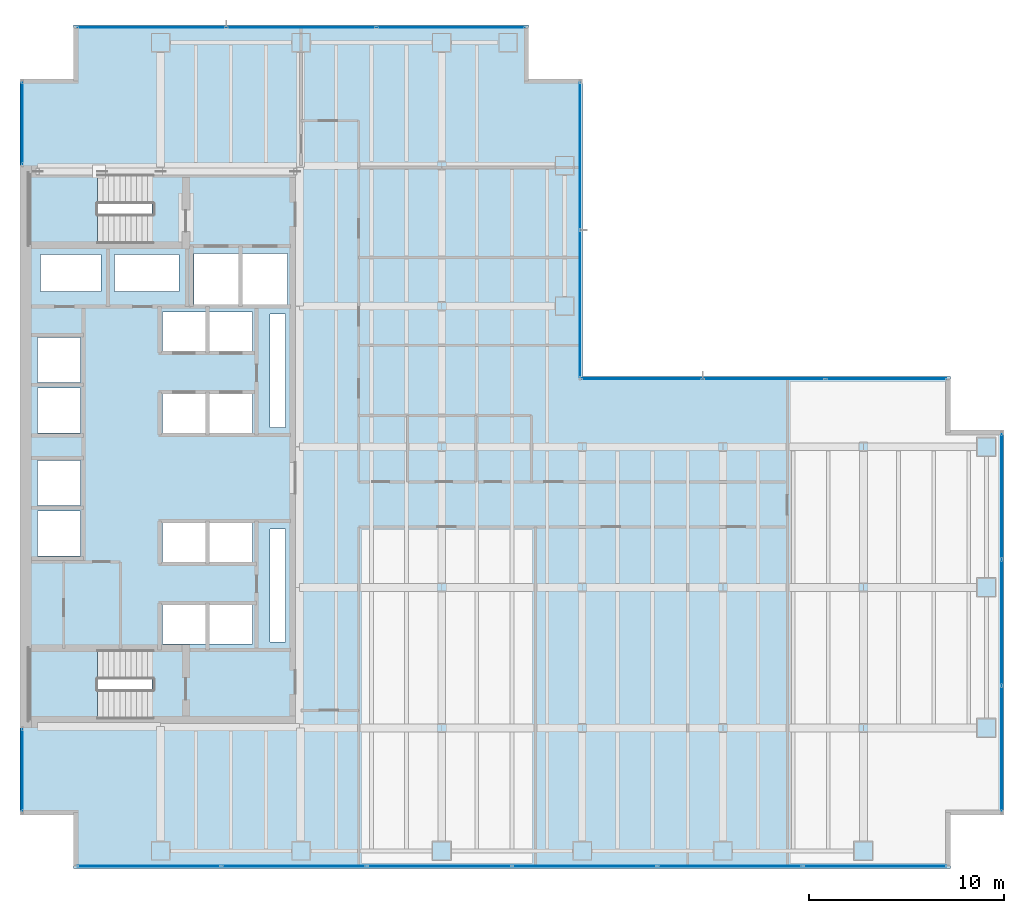
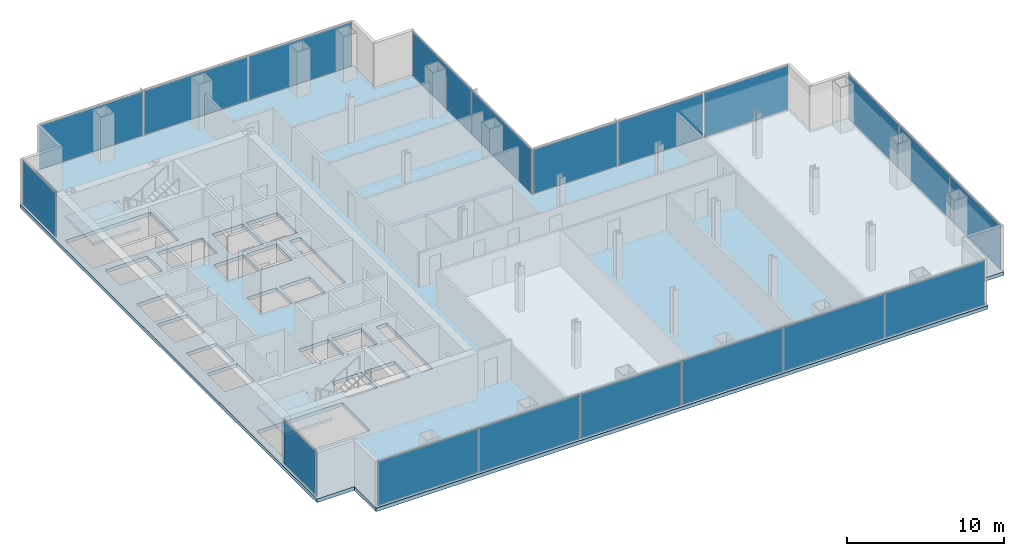
# One storey, part 19 of 24: 19 plates, 3 slabs, 20 openings, 9 elements without a shape of their own.
"""IFC4 building model written with IfcOpenShell, lengths in metres."""

from ifc_helpers import new_model, si_unit, direction, frame, origin, origin_2d, place, context, subcontext, project, spatial, polyline, rectangle, outline, extrude, material, layer, layer_set, type_object, element, aggregate, save


model = new_model("IFC4")

# Units and contexts
model_context = context("Model", 3, precision=1e-05, world=origin(), true_north=direction((0.0, 1.0)))
body_context = subcontext(model_context, "Body", "Model", "MODEL_VIEW")
ifc_project = project(units=[si_unit("LENGTHUNIT", "METRE"), si_unit("AREAUNIT", "SQUARE_METRE"), si_unit("VOLUMEUNIT", "CUBIC_METRE"), si_unit("PLANEANGLEUNIT", "RADIAN"), si_unit("MASSUNIT", "GRAM", prefix="KILO")], contexts=[model_context])

# Site, building, storey
site_placement = place(None, origin())
site = spatial("IfcSite", under=ifc_project, at=site_placement, CompositionType="ELEMENT")
building_placement = place(site_placement, origin())
building = spatial("IfcBuilding", under=site, at=building_placement, Name="Cobrela Telecom Tower", CompositionType="ELEMENT")
storey_placement = place(building_placement, frame((0.0, 0.0, 69.64990234375)))
storey = spatial("IfcBuildingStorey", under=building, at=storey_placement, Name="L17", CompositionType="ELEMENT", Elevation=69.64990234375)

# Curtain wall, plate
ifc_material_1 = material(Name="Anodized Bronze Aluminium 6063-T6", Category="aluminium")
curtain_wall_type = type_object("IfcCurtainWallType", Name="CW-SYS-DATA", PredefinedType="USERDEFINED", material=ifc_material_1)
curtain_wall_1_placement = place(storey_placement, origin())
curtain_wall_1 = element("IfcCurtainWall", 1, at=curtain_wall_1_placement, inside=storey, type_object=curtain_wall_type, Name="L17 Unitised Bronze Curtain Wall 03", ObjectType="UNITISED CURTAIN WALL", PredefinedType="USERDEFINED")
ifc_material_2 = material(Name="Solar-Control Bronze Low-E Glass", Category="glass")
ifc_layer_1 = layer(ifc_material_2, 0.0380859375)
ifc_layer_set_1 = layer_set([ifc_layer_1], Name="Solar-Control Bronze Low-E Glass")
plate_type = type_object("IfcPlateType", Name="CW-SYS-DATA-PNL", PredefinedType="CURTAIN_PANEL", material=ifc_layer_set_1)
plate_1_placement = place(storey_placement, frame((0.1201171875, 5.034912109375, 0.0751953125), z_axis=(0.0, 0.0, 1.0), x_axis=(0.0, 1.0, 0.0)))
plate_1 = element("IfcPlate", 2, at=plate_1_placement, type_object=plate_type, Name="CW-DATA panel 1.1", PredefinedType="CURTAIN_PANEL", context=body_context, shape_type="SweptSolid", body=[
    extrude(rectangle(XDim=4.169921875, YDim=0.0380859375, at=origin_2d()), origin(), (0.0, 0.0, 1.0), 3.419921875),
])
aggregate(curtain_wall_1, [plate_1])

curtain_wall_2_placement = place(storey_placement, origin())
curtain_wall_2 = element("IfcCurtainWall", 3, at=curtain_wall_2_placement, inside=storey, type_object=curtain_wall_type, Name="L17 Unitised Bronze Curtain Wall 04", ObjectType="UNITISED CURTAIN WALL", PredefinedType="USERDEFINED")
plate_2_placement = place(storey_placement, frame((0.1201171875, 38.1650390625, 0.0751953125), z_axis=(0.0, 0.0, 1.0), x_axis=(0.0, 1.0, 0.0)))
plate_2 = element("IfcPlate", 4, at=plate_2_placement, type_object=plate_type, Name="CW-DATA panel 1.1", PredefinedType="CURTAIN_PANEL", context=body_context, shape_type="SweptSolid", body=[
    extrude(rectangle(XDim=4.169921875, YDim=0.0380859375, at=origin_2d()), origin(), (0.0, 0.0, 1.0), 3.419921875),
])
aggregate(curtain_wall_2, [plate_2])

# Curtain wall, plates
curtain_wall_3_placement = place(storey_placement, origin())
curtain_wall_3 = element("IfcCurtainWall", 5, at=curtain_wall_3_placement, inside=storey, type_object=curtain_wall_type, Name="L17 Unitised Bronze Curtain Wall 07", ObjectType="UNITISED CURTAIN WALL", PredefinedType="USERDEFINED")
plate_3_placement = place(storey_placement, frame((6.7333984375, 43.080078125, 0.0751953125), z_axis=(0.0, 0.0, 1.0), x_axis=(1.0, 0.0, 0.0)))
plate_3 = element("IfcPlate", 6, at=plate_3_placement, type_object=plate_type, Name="CW-DATA panel 1.1", PredefinedType="CURTAIN_PANEL", context=body_context, shape_type="SweptSolid", body=[
    extrude(rectangle(XDim=7.566650390625, YDim=0.0380859375, at=origin_2d()), origin(), (0.0, 0.0, 1.0), 3.419921875),
])
plate_4_placement = place(storey_placement, frame((14.39990234375, 43.080078125, 0.0751953125), z_axis=(0.0, 0.0, 1.0), x_axis=(1.0, 0.0, 0.0)))
plate_4 = element("IfcPlate", 7, at=plate_4_placement, type_object=plate_type, Name="CW-DATA panel 2.1", PredefinedType="CURTAIN_PANEL", context=body_context, shape_type="SweptSolid", body=[
    extrude(rectangle(XDim=7.606689453125, YDim=0.0380859375, at=origin_2d()), origin(), (0.0, 0.0, 1.0), 3.419921875),
])
plate_5_placement = place(storey_placement, frame((22.066650390625, 43.080078125, 0.0751953125), z_axis=(0.0, 0.0, 1.0), x_axis=(1.0, 0.0, 0.0)))
plate_5 = element("IfcPlate", 8, at=plate_5_placement, type_object=plate_type, Name="CW-DATA panel 3.1", PredefinedType="CURTAIN_PANEL", context=body_context, shape_type="SweptSolid", body=[
    extrude(rectangle(XDim=7.566650390625, YDim=0.0380859375, at=origin_2d()), origin(), (0.0, 0.0, 1.0), 3.419921875),
])
aggregate(curtain_wall_3, [plate_3, plate_4, plate_5])

curtain_wall_4_placement = place(storey_placement, origin())
curtain_wall_4 = element("IfcCurtainWall", 9, at=curtain_wall_4_placement, inside=storey, type_object=curtain_wall_type, Name="L17 Unitised Bronze Curtain Wall 10", ObjectType="UNITISED CURTAIN WALL", PredefinedType="USERDEFINED")
plate_6_placement = place(storey_placement, frame((28.679931640625, 36.49755859375, 0.0751953125), z_axis=(0.0, 0.0, 1.0), x_axis=(0.0, -1.0, 0.0)))
plate_6 = element("IfcPlate", 10, at=plate_6_placement, type_object=plate_type, Name="CW-DATA panel 1.1", PredefinedType="CURTAIN_PANEL", context=body_context, shape_type="SweptSolid", body=[
    extrude(rectangle(XDim=7.5048828125, YDim=0.0380859375, at=origin_2d()), origin(), (0.0, 0.0, 1.0), 3.419921875),
])
plate_7_placement = place(storey_placement, frame((28.679931640625, 28.91259765625, 0.0751953125), z_axis=(0.0, 0.0, 1.0), x_axis=(0.0, -1.0, 0.0)))
plate_7 = element("IfcPlate", 11, at=plate_7_placement, type_object=plate_type, Name="CW-DATA panel 2.1", PredefinedType="CURTAIN_PANEL", context=body_context, shape_type="SweptSolid", body=[
    extrude(rectangle(XDim=7.5048828125, YDim=0.0380859375, at=origin_2d()), origin(), (0.0, 0.0, 1.0), 3.419921875),
])
aggregate(curtain_wall_4, [plate_6, plate_7])

curtain_wall_5_placement = place(storey_placement, origin())
curtain_wall_5 = element("IfcCurtainWall", 12, at=curtain_wall_5_placement, inside=storey, type_object=curtain_wall_type, Name="L17 Unitised Bronze Curtain Wall 11", ObjectType="UNITISED CURTAIN WALL", PredefinedType="USERDEFINED")
plate_8_placement = place(storey_placement, frame((31.841552734375, 25.080078125, 0.0751953125), z_axis=(0.0, 0.0, 1.0), x_axis=(1.0, 0.0, 0.0)))
plate_8 = element("IfcPlate", 13, at=plate_8_placement, type_object=plate_type, Name="CW-DATA panel 1.1", PredefinedType="CURTAIN_PANEL", context=body_context, shape_type="SweptSolid", body=[
    extrude(rectangle(XDim=6.163330078125, YDim=0.0380859375, at=origin_2d()), origin(), (0.0, 0.0, 1.0), 3.419921875),
])
plate_9_placement = place(storey_placement, frame((38.10498046875, 25.080078125, 0.0751953125), z_axis=(0.0, 0.0, 1.0), x_axis=(1.0, 0.0, 0.0)))
plate_9 = element("IfcPlate", 14, at=plate_9_placement, type_object=plate_type, Name="CW-DATA panel 2.1", PredefinedType="CURTAIN_PANEL", context=body_context, shape_type="SweptSolid", body=[
    extrude(rectangle(XDim=6.203369140625, YDim=0.0380859375, at=origin_2d()), origin(), (0.0, 0.0, 1.0), 3.419921875),
])
plate_10_placement = place(storey_placement, frame((44.368408203125, 25.080078125, 0.0751953125), z_axis=(0.0, 0.0, 1.0), x_axis=(1.0, 0.0, 0.0)))
plate_10 = element("IfcPlate", 15, at=plate_10_placement, type_object=plate_type, Name="CW-DATA panel 3.1", PredefinedType="CURTAIN_PANEL", context=body_context, shape_type="SweptSolid", body=[
    extrude(rectangle(XDim=6.163330078125, YDim=0.0380859375, at=origin_2d()), origin(), (0.0, 0.0, 1.0), 3.419921875),
])
aggregate(curtain_wall_5, [plate_8, plate_9, plate_10])

curtain_wall_6_placement = place(storey_placement, origin())
curtain_wall_6 = element("IfcCurtainWall", 16, at=curtain_wall_6_placement, inside=storey, type_object=curtain_wall_type, Name="L17 Unitised Bronze Curtain Wall 14", ObjectType="UNITISED CURTAIN WALL", PredefinedType="USERDEFINED")
plate_11_placement = place(storey_placement, frame((50.280029296875, 19.066650390625, 0.0751953125), z_axis=(0.0, 0.0, 1.0), x_axis=(0.0, -1.0, 0.0)))
plate_11 = element("IfcPlate", 17, at=plate_11_placement, type_object=plate_type, Name="CW-DATA panel 1.1", PredefinedType="CURTAIN_PANEL", context=body_context, shape_type="SweptSolid", body=[
    extrude(rectangle(XDim=6.36669921875, YDim=0.0380859375, at=origin_2d()), origin(), (0.0, 0.0, 1.0), 3.419921875),
])
plate_12_placement = place(storey_placement, frame((50.280029296875, 12.60009765625, 0.0751953125), z_axis=(0.0, 0.0, 1.0), x_axis=(0.0, -1.0, 0.0)))
plate_12 = element("IfcPlate", 18, at=plate_12_placement, type_object=plate_type, Name="CW-DATA panel 2.1", PredefinedType="CURTAIN_PANEL", context=body_context, shape_type="SweptSolid", body=[
    extrude(rectangle(XDim=6.40673828125, YDim=0.0380859375, at=origin_2d()), origin(), (0.0, 0.0, 1.0), 3.419921875),
])
plate_13_placement = place(storey_placement, frame((50.280029296875, 6.13330078125, 0.0751953125), z_axis=(0.0, 0.0, 1.0), x_axis=(0.0, -1.0, 0.0)))
plate_13 = element("IfcPlate", 19, at=plate_13_placement, type_object=plate_type, Name="CW-DATA panel 3.1", PredefinedType="CURTAIN_PANEL", context=body_context, shape_type="SweptSolid", body=[
    extrude(rectangle(XDim=6.36669921875, YDim=0.0380859375, at=origin_2d()), origin(), (0.0, 0.0, 1.0), 3.419921875),
])
aggregate(curtain_wall_6, [plate_11, plate_12, plate_13])

curtain_wall_7_placement = place(storey_placement, origin())
curtain_wall_7 = element("IfcCurtainWall", 20, at=curtain_wall_7_placement, inside=storey, type_object=curtain_wall_type, Name="L17 Unitised Bronze Curtain Wall 17", ObjectType="UNITISED CURTAIN WALL", PredefinedType="USERDEFINED")
plate_14_placement = place(storey_placement, frame((43.788330078125, 0.1201171875, 0.0751953125), z_axis=(0.0, 0.0, 1.0), x_axis=(-1.0, 0.0, 0.0)))
plate_14 = element("IfcPlate", 21, at=plate_14_placement, type_object=plate_type, Name="CW-DATA panel 1.1", PredefinedType="CURTAIN_PANEL", context=body_context, shape_type="SweptSolid", body=[
    extrude(rectangle(XDim=7.3232421875, YDim=0.0380859375, at=origin_2d()), origin(), (0.0, 0.0, 1.0), 3.419921875),
])
plate_15_placement = place(storey_placement, frame((36.364990234375, 0.1201171875, 0.0751953125), z_axis=(0.0, 0.0, 1.0), x_axis=(-1.0, 0.0, 0.0)))
plate_15 = element("IfcPlate", 22, at=plate_15_placement, type_object=plate_type, Name="CW-DATA panel 2.1", PredefinedType="CURTAIN_PANEL", context=body_context, shape_type="SweptSolid", body=[
    extrude(rectangle(XDim=7.36328125, YDim=0.0380859375, at=origin_2d()), origin(), (0.0, 0.0, 1.0), 3.419921875),
])
plate_16_placement = place(storey_placement, frame((28.921630859375, 0.1201171875, 0.0751953125), z_axis=(0.0, 0.0, 1.0), x_axis=(-1.0, 0.0, 0.0)))
plate_16 = element("IfcPlate", 23, at=plate_16_placement, type_object=plate_type, Name="CW-DATA panel 3.1", PredefinedType="CURTAIN_PANEL", context=body_context, shape_type="SweptSolid", body=[
    extrude(rectangle(XDim=7.36328125, YDim=0.0380859375, at=origin_2d()), origin(), (0.0, 0.0, 1.0), 3.419921875),
])
plate_17_placement = place(storey_placement, frame((21.478271484375, 0.1201171875, 0.0751953125), z_axis=(0.0, 0.0, 1.0), x_axis=(-1.0, 0.0, 0.0)))
plate_17 = element("IfcPlate", 24, at=plate_17_placement, type_object=plate_type, Name="CW-DATA panel 4.1", PredefinedType="CURTAIN_PANEL", context=body_context, shape_type="SweptSolid", body=[
    extrude(rectangle(XDim=7.36328125, YDim=0.0380859375, at=origin_2d()), origin(), (0.0, 0.0, 1.0), 3.419921875),
])
plate_18_placement = place(storey_placement, frame((14.034912109375, 0.1201171875, 0.0751953125), z_axis=(0.0, 0.0, 1.0), x_axis=(-1.0, 0.0, 0.0)))
plate_18 = element("IfcPlate", 25, at=plate_18_placement, type_object=plate_type, Name="CW-DATA panel 5.1", PredefinedType="CURTAIN_PANEL", context=body_context, shape_type="SweptSolid", body=[
    extrude(rectangle(XDim=7.36328125, YDim=0.0380859375, at=origin_2d()), origin(), (0.0, 0.0, 1.0), 3.419921875),
])
plate_19_placement = place(storey_placement, frame((6.611572265625, 0.1201171875, 0.0751953125), z_axis=(0.0, 0.0, 1.0), x_axis=(-1.0, 0.0, 0.0)))
plate_19 = element("IfcPlate", 26, at=plate_19_placement, type_object=plate_type, Name="CW-DATA panel 6.1", PredefinedType="CURTAIN_PANEL", context=body_context, shape_type="SweptSolid", body=[
    extrude(rectangle(XDim=7.3232421875, YDim=0.0380859375, at=origin_2d()), origin(), (0.0, 0.0, 1.0), 3.419921875),
])
aggregate(curtain_wall_7, [plate_14, plate_15, plate_16, plate_17, plate_18, plate_19])

# Slab, openings
ifc_material_3 = material(Name="Concrete C40/50", Category="concrete")
ifc_layer_2 = layer(ifc_material_3, 0.280029296875)
ifc_layer_set_2 = layer_set([ifc_layer_2], Name="Concrete C40/50")
slab_type_1 = type_object("IfcSlabType", Name="SLAB-FLR-280", PredefinedType="FLOOR", material=ifc_layer_set_2)
slab_1_placement = place(storey_placement, frame((0.0, 0.0, -0.27978515625)))
slab_1 = element("IfcSlab", 27, at=slab_1_placement, inside=storey, type_object=slab_type_1, Name="L17 Structural Floor Slab", PredefinedType="FLOOR", context=body_context, shape_type="SweptSolid", body=[
    extrude(outline(polyline([(2.75, 0.0), (47.64990234375, 0.0), (47.64990234375, 2.75), (50.39990234375, 2.75), (50.39990234375, 22.449951171875), (47.64990234375, 22.449951171875), (47.64990234375, 25.199951171875), (28.800048828125, 25.199951171875), (28.800048828125, 40.449951171875), (26.050048828125, 40.449951171875), (26.050048828125, 43.199951171875), (2.75, 43.199951171875), (2.75, 40.449951171875), (0.0, 40.449951171875), (0.0, 2.75), (2.75, 2.75), (2.75, 0.0)])), origin(), (0.0, 0.0, 1.0), 0.27978515625),
])
opening_1_placement = place(slab_1_placement, frame((0.0, 0.0, -0.02001953125)))
element("IfcOpeningElement", 28, at=opening_1_placement, cuts=slab_1, Name="Slab Shaft Opening SLAB-L17-MAIN.1", PredefinedType="OPENING", context=body_context, shape_type="SweptSolid", body=[
    extrude(outline(polyline([(8.89990234375, 28.89990234375), (11.199951171875, 28.89990234375), (11.199951171875, 31.5), (8.89990234375, 31.5), (8.89990234375, 28.89990234375)])), origin(), (0.0, 0.0, 1.0), 0.31982421875),
])
opening_2_placement = place(slab_1_placement, frame((0.0, 0.0, -0.02001953125)))
element("IfcOpeningElement", 29, at=opening_2_placement, cuts=slab_1, Name="Slab Shaft Opening SLAB-L17-MAIN.2", PredefinedType="OPENING", context=body_context, shape_type="SweptSolid", body=[
    extrude(outline(polyline([(11.39990234375, 28.89990234375), (13.699951171875, 28.89990234375), (13.699951171875, 31.5), (11.39990234375, 31.5), (11.39990234375, 28.89990234375)])), origin(), (0.0, 0.0, 1.0), 0.31982421875),
])
opening_3_placement = place(slab_1_placement, frame((0.0, 0.0, -0.02001953125)))
element("IfcOpeningElement", 30, at=opening_3_placement, cuts=slab_1, Name="Slab Shaft Opening SLAB-L17-MAIN.3", PredefinedType="OPENING", context=body_context, shape_type="SweptSolid", body=[
    extrude(outline(polyline([(7.300048828125, 22.300048828125), (9.5, 22.300048828125), (9.5, 24.300048828125), (7.300048828125, 24.300048828125), (7.300048828125, 22.300048828125)])), origin(), (0.0, 0.0, 1.0), 0.31982421875),
])
opening_4_placement = place(slab_1_placement, frame((0.0, 0.0, -0.02001953125)))
element("IfcOpeningElement", 31, at=opening_4_placement, cuts=slab_1, Name="Slab Shaft Opening SLAB-L17-MAIN.4", PredefinedType="OPENING", context=body_context, shape_type="SweptSolid", body=[
    extrude(outline(polyline([(9.699951171875, 22.300048828125), (11.89990234375, 22.300048828125), (11.89990234375, 24.300048828125), (9.699951171875, 24.300048828125), (9.699951171875, 22.300048828125)])), origin(), (0.0, 0.0, 1.0), 0.31982421875),
])
opening_5_placement = place(slab_1_placement, frame((0.0, 0.0, -0.02001953125)))
element("IfcOpeningElement", 32, at=opening_5_placement, cuts=slab_1, Name="Slab Shaft Opening SLAB-L17-MAIN.5", PredefinedType="OPENING", context=body_context, shape_type="SweptSolid", body=[
    extrude(outline(polyline([(7.300048828125, 26.5), (9.5, 26.5), (9.5, 28.5), (7.300048828125, 28.5), (7.300048828125, 26.5)])), origin(), (0.0, 0.0, 1.0), 0.31982421875),
])
opening_6_placement = place(slab_1_placement, frame((0.0, 0.0, -0.02001953125)))
element("IfcOpeningElement", 33, at=opening_6_placement, cuts=slab_1, Name="Slab Shaft Opening SLAB-L17-MAIN.6", PredefinedType="OPENING", context=body_context, shape_type="SweptSolid", body=[
    extrude(outline(polyline([(9.699951171875, 26.5), (11.89990234375, 26.5), (11.89990234375, 28.5), (9.699951171875, 28.5), (9.699951171875, 26.5)])), origin(), (0.0, 0.0, 1.0), 0.31982421875),
])
opening_7_placement = place(slab_1_placement, frame((0.0, 0.0, -0.02001953125)))
element("IfcOpeningElement", 34, at=opening_7_placement, cuts=slab_1, Name="Slab Shaft Opening SLAB-L17-MAIN.7", PredefinedType="OPENING", context=body_context, shape_type="SweptSolid", body=[
    extrude(outline(polyline([(7.300048828125, 15.699951171875), (9.5, 15.699951171875), (9.5, 17.699951171875), (7.300048828125, 17.699951171875), (7.300048828125, 15.699951171875)])), origin(), (0.0, 0.0, 1.0), 0.31982421875),
])
opening_8_placement = place(slab_1_placement, frame((0.0, 0.0, -0.02001953125)))
element("IfcOpeningElement", 35, at=opening_8_placement, cuts=slab_1, Name="Slab Shaft Opening SLAB-L17-MAIN.8", PredefinedType="OPENING", context=body_context, shape_type="SweptSolid", body=[
    extrude(outline(polyline([(9.699951171875, 15.699951171875), (11.89990234375, 15.699951171875), (11.89990234375, 17.699951171875), (9.699951171875, 17.699951171875), (9.699951171875, 15.699951171875)])), origin(), (0.0, 0.0, 1.0), 0.31982421875),
])
opening_9_placement = place(slab_1_placement, frame((0.0, 0.0, -0.02001953125)))
element("IfcOpeningElement", 36, at=opening_9_placement, cuts=slab_1, Name="Slab Shaft Opening SLAB-L17-MAIN.9", PredefinedType="OPENING", context=body_context, shape_type="SweptSolid", body=[
    extrude(outline(polyline([(7.300048828125, 11.5), (9.5, 11.5), (9.5, 13.5), (7.300048828125, 13.5), (7.300048828125, 11.5)])), origin(), (0.0, 0.0, 1.0), 0.31982421875),
])
opening_10_placement = place(slab_1_placement, frame((0.0, 0.0, -0.02001953125)))
element("IfcOpeningElement", 37, at=opening_10_placement, cuts=slab_1, Name="Slab Shaft Opening SLAB-L17-MAIN.10", PredefinedType="OPENING", context=body_context, shape_type="SweptSolid", body=[
    extrude(outline(polyline([(9.699951171875, 11.5), (11.89990234375, 11.5), (11.89990234375, 13.5), (9.699951171875, 13.5), (9.699951171875, 11.5)])), origin(), (0.0, 0.0, 1.0), 0.31982421875),
])
opening_11_placement = place(slab_1_placement, frame((0.0, 0.0, -0.02001953125)))
element("IfcOpeningElement", 38, at=opening_11_placement, cuts=slab_1, Name="Slab Shaft Opening SLAB-L17-MAIN.11", PredefinedType="OPENING", context=body_context, shape_type="SweptSolid", body=[
    extrude(outline(polyline([(0.89990234375, 16.0), (3.10009765625, 16.0), (3.10009765625, 18.300048828125), (0.89990234375, 18.300048828125), (0.89990234375, 16.0)])), origin(), (0.0, 0.0, 1.0), 0.31982421875),
])
opening_12_placement = place(slab_1_placement, frame((0.0, 0.0, -0.02001953125)))
element("IfcOpeningElement", 39, at=opening_12_placement, cuts=slab_1, Name="Slab Shaft Opening SLAB-L17-MAIN.12", PredefinedType="OPENING", context=body_context, shape_type="SweptSolid", body=[
    extrude(outline(polyline([(0.89990234375, 18.60009765625), (3.10009765625, 18.60009765625), (3.10009765625, 20.89990234375), (0.89990234375, 20.89990234375), (0.89990234375, 18.60009765625)])), origin(), (0.0, 0.0, 1.0), 0.31982421875),
])
opening_13_placement = place(slab_1_placement, frame((0.0, 0.0, -0.02001953125)))
element("IfcOpeningElement", 40, at=opening_13_placement, cuts=slab_1, Name="Slab Shaft Opening SLAB-L17-MAIN.13", PredefinedType="OPENING", context=body_context, shape_type="SweptSolid", body=[
    extrude(outline(polyline([(0.89990234375, 22.300048828125), (3.10009765625, 22.300048828125), (3.10009765625, 24.60009765625), (0.89990234375, 24.60009765625), (0.89990234375, 22.300048828125)])), origin(), (0.0, 0.0, 1.0), 0.31982421875),
])
opening_14_placement = place(slab_1_placement, frame((0.0, 0.0, -0.02001953125)))
element("IfcOpeningElement", 41, at=opening_14_placement, cuts=slab_1, Name="Slab Shaft Opening SLAB-L17-MAIN.14", PredefinedType="OPENING", context=body_context, shape_type="SweptSolid", body=[
    extrude(outline(polyline([(0.89990234375, 24.89990234375), (3.10009765625, 24.89990234375), (3.10009765625, 27.199951171875), (0.89990234375, 27.199951171875), (0.89990234375, 24.89990234375)])), origin(), (0.0, 0.0, 1.0), 0.31982421875),
])
opening_15_placement = place(slab_1_placement, frame((0.0, 0.0, -0.02001953125)))
element("IfcOpeningElement", 42, at=opening_15_placement, cuts=slab_1, Name="Slab Shaft Opening SLAB-L17-MAIN.15", PredefinedType="OPENING", context=body_context, shape_type="SweptSolid", body=[
    extrude(outline(polyline([(1.050048828125, 29.550048828125), (4.14990234375, 29.550048828125), (4.14990234375, 31.449951171875), (1.050048828125, 31.449951171875), (1.050048828125, 29.550048828125)])), origin(), (0.0, 0.0, 1.0), 0.31982421875),
])
opening_16_placement = place(slab_1_placement, frame((0.0, 0.0, -0.02001953125)))
element("IfcOpeningElement", 43, at=opening_16_placement, cuts=slab_1, Name="Slab Shaft Opening SLAB-L17-MAIN.16", PredefinedType="OPENING", context=body_context, shape_type="SweptSolid", body=[
    extrude(outline(polyline([(4.85009765625, 29.550048828125), (8.14990234375, 29.550048828125), (8.14990234375, 31.449951171875), (4.85009765625, 31.449951171875), (4.85009765625, 29.550048828125)])), origin(), (0.0, 0.0, 1.0), 0.31982421875),
])
opening_17_placement = place(slab_1_placement, frame((0.0, 0.0, -0.02001953125)))
element("IfcOpeningElement", 44, at=opening_17_placement, cuts=slab_1, Name="Slab Shaft Opening SLAB-L17-MAIN.17", PredefinedType="OPENING", context=body_context, shape_type="SweptSolid", body=[
    extrude(outline(polyline([(12.800048828125, 22.60009765625), (13.60009765625, 22.60009765625), (13.60009765625, 28.39990234375), (12.800048828125, 28.39990234375), (12.800048828125, 22.60009765625)])), origin(), (0.0, 0.0, 1.0), 0.31982421875),
])
opening_18_placement = place(slab_1_placement, frame((0.0, 0.0, -0.02001953125)))
element("IfcOpeningElement", 45, at=opening_18_placement, cuts=slab_1, Name="Slab Shaft Opening SLAB-L17-MAIN.18", PredefinedType="OPENING", context=body_context, shape_type="SweptSolid", body=[
    extrude(outline(polyline([(12.800048828125, 11.60009765625), (13.60009765625, 11.60009765625), (13.60009765625, 17.39990234375), (12.800048828125, 17.39990234375), (12.800048828125, 11.60009765625)])), origin(), (0.0, 0.0, 1.0), 0.31982421875),
])
opening_19_placement = place(slab_1_placement, frame((0.0, 0.0, -0.02001953125)))
element("IfcOpeningElement", 46, at=opening_19_placement, cuts=slab_1, Name="Slab Shaft Opening SLAB-L17-MAIN.19", PredefinedType="OPENING", context=body_context, shape_type="SweptSolid", body=[
    extrude(outline(polyline([(6.7548828125, 35.550048828125), (0.47998046875, 35.550048828125), (0.47998046875, 32.0), (6.7548828125, 32.0), (6.7548828125, 35.550048828125)])), origin(), (0.0, 0.0, 1.0), 0.31982421875),
])
opening_20_placement = place(slab_1_placement, frame((0.0, 0.0, -0.02001953125)))
element("IfcOpeningElement", 47, at=opening_20_placement, cuts=slab_1, Name="Slab Shaft Opening SLAB-L17-MAIN.20", PredefinedType="OPENING", context=body_context, shape_type="SweptSolid", body=[
    extrude(outline(polyline([(6.7548828125, 11.199951171875), (0.47998046875, 11.199951171875), (0.47998046875, 7.64990234375), (6.7548828125, 7.64990234375), (6.7548828125, 11.199951171875)])), origin(), (0.0, 0.0, 1.0), 0.31982421875),
])

# Stair, slab
stair_type = type_object("IfcStairType", Name="STAIR-CORE", PredefinedType="HALF_TURN_STAIR", material=ifc_material_3)
stair_1_placement = place(storey_placement, origin())
stair_1 = element("IfcStair", 48, at=stair_1_placement, inside=storey, type_object=stair_type, Name="L17 Smokeproof Exit Stair ST1", PredefinedType="HALF_TURN_STAIR")
ifc_layer_3 = layer(ifc_material_3, 0.199951171875)
ifc_layer_set_3 = layer_set([ifc_layer_3], Name="Concrete C40/50")
slab_type_2 = type_object("IfcSlabType", Name="SLAB-LAND-200", PredefinedType="LANDING", material=ifc_layer_set_3)
slab_2_placement = place(storey_placement, frame((0.0, 0.0, 1.72509765625)))
slab_2 = element("IfcSlab", 49, at=slab_2_placement, type_object=slab_type_2, Name="ST1 landing 1", PredefinedType="LANDING", context=body_context, shape_type="SweptSolid", body=[
    extrude(outline(polyline([(3.969970703125, 35.550048828125), (0.47998046875, 35.550048828125), (0.47998046875, 32.0), (3.969970703125, 32.0), (3.969970703125, 35.550048828125)])), origin(), (0.0, 0.0, 1.0), 0.199951171875),
])
aggregate(stair_1, [slab_2])

stair_2_placement = place(storey_placement, origin())
stair_2 = element("IfcStair", 50, at=stair_2_placement, inside=storey, type_object=stair_type, Name="L17 Smokeproof Exit Stair ST2", PredefinedType="HALF_TURN_STAIR")
slab_3_placement = place(storey_placement, frame((0.0, 0.0, 1.72509765625)))
slab_3 = element("IfcSlab", 51, at=slab_3_placement, type_object=slab_type_2, Name="ST2 landing 1", PredefinedType="LANDING", context=body_context, shape_type="SweptSolid", body=[
    extrude(outline(polyline([(3.969970703125, 11.199951171875), (0.47998046875, 11.199951171875), (0.47998046875, 7.64990234375), (3.969970703125, 7.64990234375), (3.969970703125, 11.199951171875)])), origin(), (0.0, 0.0, 1.0), 0.199951171875),
])
aggregate(stair_2, [slab_3])

save(model, "model.ifc")
